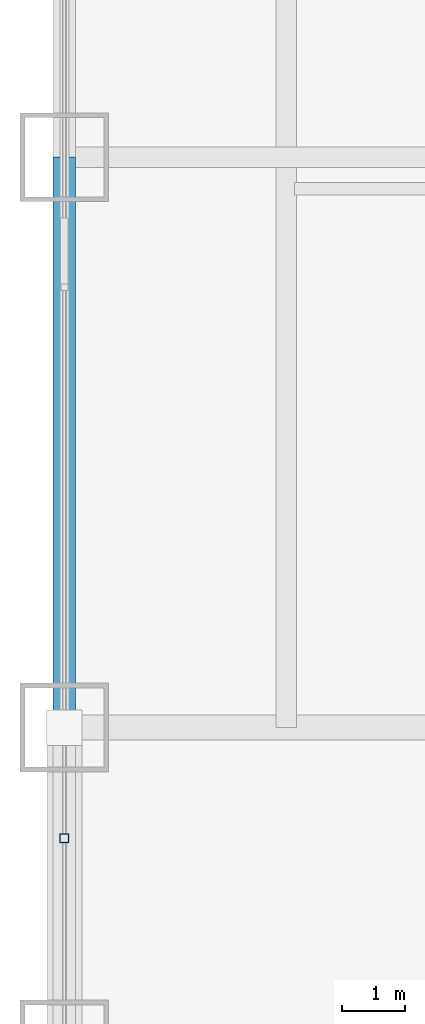
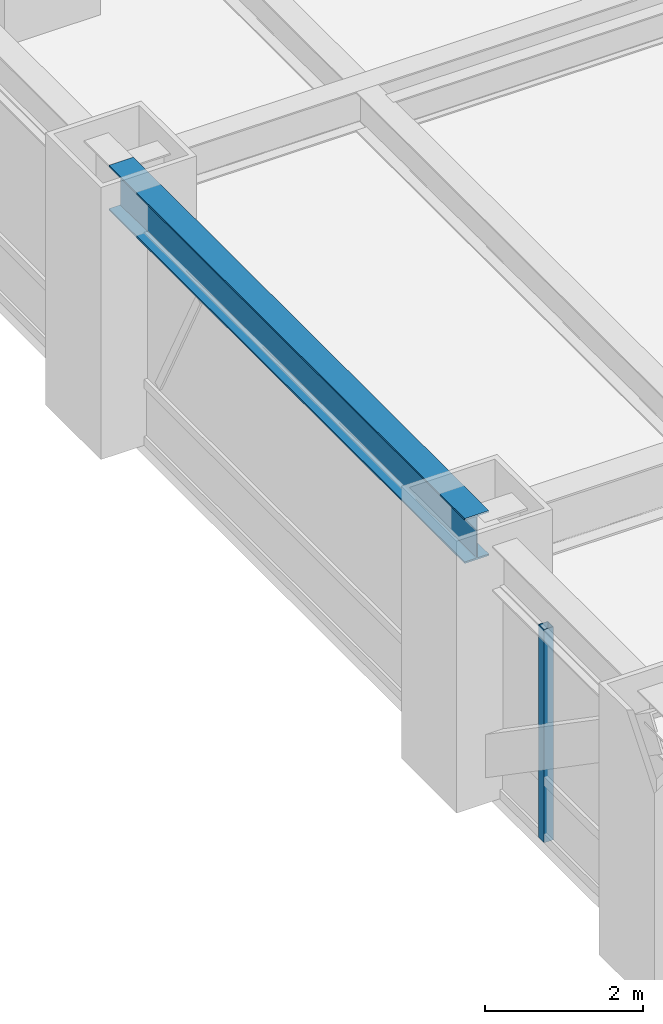
# One storey, part 12 of 27: 1 beam, 1 member, 1 element without a shape of its own.
"""IFC4 building model written with IfcOpenShell, lengths in metres."""

from ifc_helpers import new_model, si_unit, direction, frame, origin, origin_2d, place, context, subcontext, project, spatial, hollow_rectangle, i_section, extrude, source, transform, mapped, material, material_profile, profile_set, type_object, element, aggregate, save


model = new_model("IFC4")

# Units and contexts
model_context = context("Model", 3, precision=1e-05, world=origin(), true_north=direction((0.0, 1.0)))
body_context = subcontext(model_context, "Body", "Model", "MODEL_VIEW")
ifc_project = project(units=[si_unit("LENGTHUNIT", "METRE"), si_unit("AREAUNIT", "SQUARE_METRE"), si_unit("VOLUMEUNIT", "CUBIC_METRE"), si_unit("PLANEANGLEUNIT", "RADIAN"), si_unit("MASSUNIT", "GRAM", prefix="KILO")], contexts=[model_context])

# Site, building, storey
site_placement = place(None, origin())
site = spatial("IfcSite", under=ifc_project, at=site_placement, CompositionType="ELEMENT")
building_placement = place(site_placement, origin())
building = spatial("IfcBuilding", under=site, at=building_placement, Name="Khorayat Bourse Tower", CompositionType="ELEMENT")
storey_placement = place(building_placement, frame((0.0, 0.0, 49.39990234375)))
storey = spatial("IfcBuildingStorey", under=building, at=storey_placement, Name="L10", CompositionType="ELEMENT", Elevation=49.39990234375)

# Beam
ifc_material_1 = material(Name="Steel ASTM A992 Grade 50", Category="steel")
ifc_material_profile_1 = material_profile(ifc_material_1, i_section(OverallWidth=0.35498046875, OverallDepth=0.695068359375, WebThickness=0.015380859375, FlangeThickness=0.02490234375, FilletRadius=0.01806640625, at=origin_2d()), Name="W690X217")
ifc_profile_set_1 = profile_set([ifc_material_profile_1], Name="Steel ASTM A992 Grade 50")
beam_type = type_object("IfcBeamType", Name="BM-SPAN-690", PredefinedType="SPANDREL", material=ifc_profile_set_1)
shared_shape_1 = source(origin(), body_context, "Body", "SweptSolid", [
    extrude(i_section(OverallWidth=0.35498046875, OverallDepth=0.695068359375, WebThickness=0.015380859375, FlangeThickness=0.02490234375, FilletRadius=0.01806640625, at=origin_2d()), origin(), (0.0, 0.0, 1.0), 9.0),
])
beam_placement = place(storey_placement, frame((-32.0, 11.0, 3.592529296875), z_axis=(0.0, 1.0, 0.0), x_axis=(-1.0, 0.0, 0.0)))
element("IfcBeam", 1, at=beam_placement, inside=storey, type_object=beam_type, Name="L10 BM-SPAN-690 BM-L10-SPN-055", PredefinedType="SPANDREL", context=body_context, shape_type="MappedRepresentation", body=[
    mapped(shared_shape_1, transform((0.0, 0.0, 0.0), scale=1.0)),
])

# Curtain wall, member
ifc_material_2 = material(Name="Aluminium EN AW-6063 T6", Category="aluminium")
curtain_wall_type = type_object("IfcCurtainWallType", Name="CW-SYS-02", PredefinedType="NOTDEFINED", material=ifc_material_2)
curtain_wall_placement = place(storey_placement, origin())
curtain_wall = element("IfcCurtainWall", 2, at=curtain_wall_placement, inside=storey, type_object=curtain_wall_type, Name="L10 Curtain Wall CW-L10-W1", PredefinedType="NOTDEFINED")
ifc_material_profile_2 = material_profile(ifc_material_2, hollow_rectangle(XDim=0.139892578125, YDim=0.139892578125, WallThickness=0.006103515625, at=origin_2d()), Name="ALU 140x140x6")
ifc_profile_set_2 = profile_set([ifc_material_profile_2], Name="Aluminium EN AW-6063 T6")
member_type = type_object("IfcMemberType", Name="CWM-VERT-140", PredefinedType="MULLION", material=ifc_profile_set_2)
shared_shape_2 = source(origin(), body_context, "Body", "SweptSolid", [
    extrude(hollow_rectangle(XDim=0.139892578125, YDim=0.139892578125, WallThickness=0.006103515625, at=origin_2d()), origin(), (0.0, 0.0, 1.0), 3.2900390625),
])
member_placement = place(storey_placement, frame((-32.0, 9.25, 0.0), z_axis=(0.0, 0.0, 1.0), x_axis=(-1.0, 0.0, 0.0)))
member = element("IfcMember", 3, at=member_placement, type_object=member_type, Name="CW-L10-W1 Vertical Mullion 3", PredefinedType="MULLION", context=body_context, shape_type="MappedRepresentation", body=[
    mapped(shared_shape_2, transform((0.0, 0.0, 0.0), scale=1.0)),
])
aggregate(curtain_wall, [member])

save(model, "model.ifc")
